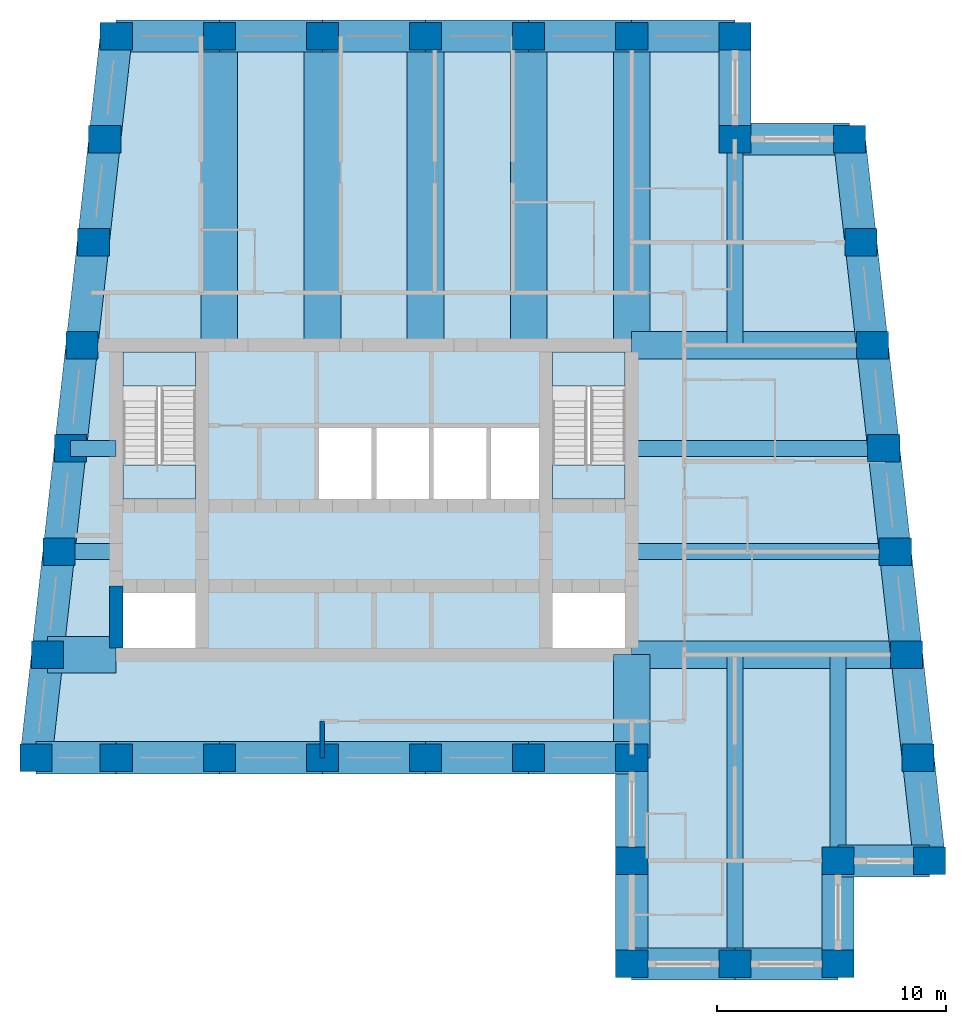
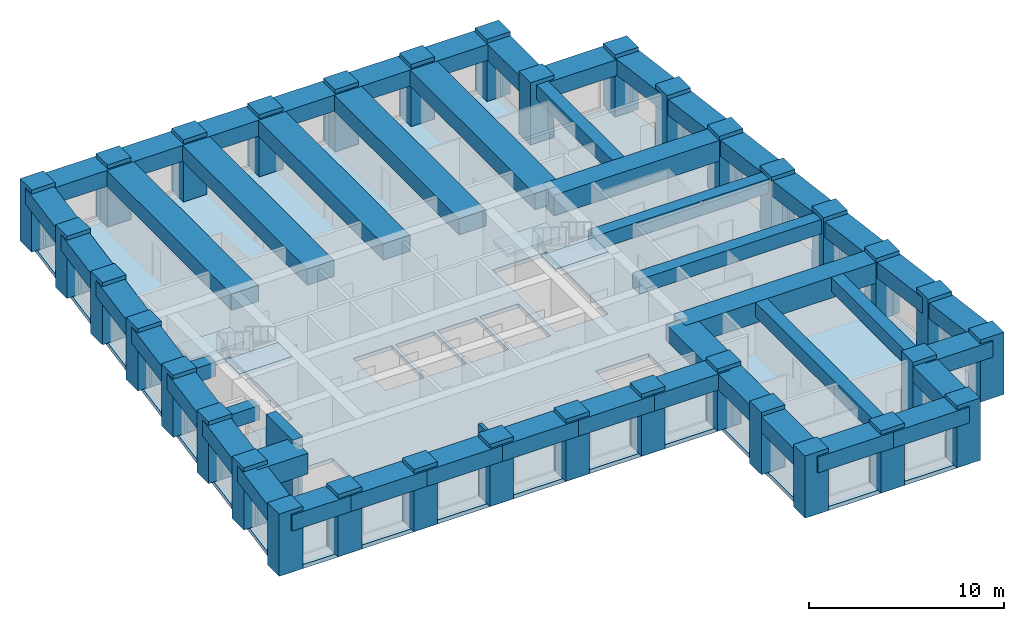
# One storey, part 1 of 7: 50 beams, 34 columns, 5 slabs, 2 walls, 2 elements without a shape of their own.
"""IFC4 building model written with IfcOpenShell, lengths in metres."""

from ifc_helpers import new_model, si_unit, direction, frame, frame_2d, origin, origin_2d, place, context, subcontext, project, spatial, polyline, rectangle, outline, extrude, material, layer, layer_set, material_profile, profile_set, type_object, element, aggregate, save


model = new_model("IFC4")

# Units and contexts
model_context = context("Model", 3, precision=1e-05, world=origin(), true_north=direction((0.0, 1.0)))
body_context = subcontext(model_context, "Body", "Model", "MODEL_VIEW")
ifc_project = project(units=[si_unit("LENGTHUNIT", "METRE"), si_unit("AREAUNIT", "SQUARE_METRE"), si_unit("VOLUMEUNIT", "CUBIC_METRE"), si_unit("PLANEANGLEUNIT", "RADIAN"), si_unit("MASSUNIT", "GRAM", prefix="KILO")], contexts=[model_context])

# Site, building, storey
site_placement = place(None, origin())
site = spatial("IfcSite", under=ifc_project, at=site_placement, CompositionType="ELEMENT")
building_placement = place(site_placement, origin())
building = spatial("IfcBuilding", under=site, at=building_placement, Name="Kilele Tower Hotel", CompositionType="ELEMENT")
storey_placement = place(building_placement, frame((0.0, 0.0, 278.0)))
storey = spatial("IfcBuildingStorey", under=building, at=storey_placement, Name="L71", CompositionType="ELEMENT", Elevation=278.0)

# Columns
ifc_material_1 = material(Name="Concrete C60/75", Category="concrete")
ifc_material_profile_1 = material_profile(ifc_material_1, rectangle(XDim=1.39990234375, YDim=1.199951171875, at=origin_2d()))
ifc_profile_set_1 = profile_set([ifc_material_profile_1], Name="Concrete C60/75")
column_type = type_object("IfcColumnType", Name="Tube column RC 1400x1200 C60/75", PredefinedType="COLUMN", material=ifc_profile_set_1)
for number, where, z_axis, x_axis, name in (
    (1, (10.0, 9.0, 0.0), (0.0, 0.0, 1.0), (1.0, 0.0, 0.0), "Column TC5 L71"),
    (2, (13.5, 9.0, 0.0), (0.0, 0.0, 1.0), (1.0, 0.0, 0.0), "Column TC5 L71"),
    (3, (18.0, 9.0, 0.0), (0.0, 0.0, 1.0), (1.0, 0.0, 0.0), "Column TC5 L71"),
    (4, (22.5, 9.0, 0.0), (0.0, 0.0, 1.0), (1.0, 0.0, 0.0), "Column TC5 L71"),
    (5, (27.0, 9.0, 0.0), (0.0, 0.0, 1.0), (1.0, 0.0, 0.0), "Column TC5 L71"),
    (6, (31.5, 9.0, 0.0), (0.0, 0.0, 1.0), (1.0, 0.0, 0.0), "Column TC5 L71"),
    (7, (36.0, 9.0, 0.0), (0.0, 0.0, 1.0), (1.0, 0.0, 0.0), "Column TC5 L71"),
    (8, (36.0, 4.5, 0.0), (0.0, 0.0, 1.0), (1.0, 0.0, 0.0), "Column TC5 L71"),
    (9, (36.0, 0.0, 0.0), (0.0, 0.0, 1.0), (1.0, 0.0, 0.0), "Column TC5 L71"),
    (10, (40.5, 0.0, 0.0), (0.0, 0.0, 1.0), (1.0, 0.0, 0.0), "Column TC5 L71"),
    (11, (45.0, 0.0, 0.0), (0.0, 0.0, 1.0), (1.0, 0.0, 0.0), "Column TC5 L71"),
    (12, (45.0, 4.5, 0.0), (0.0, 0.0, 1.0), (1.0, 0.0, 0.0), "Column TC5 L71"),
    (13, (49.0, 4.5, 0.0), (0.0, 0.0, 1.0), (1.0, 0.0, 0.0), "Column TC5 L71"),
    (14, (48.5, 9.0, 0.0), (0.0, 0.0, 1.0), (1.0, 0.0, 0.0), "Column TC5 L71"),
    (15, (48.0, 13.5, 0.0), (0.0, 0.0, 1.0), (1.0, 0.0, 0.0), "Column TC5 L71"),
    (16, (47.5, 18.0, 0.0), (0.0, 0.0, 1.0), (1.0, 0.0, 0.0), "Column TC5 L71"),
    (17, (47.0, 22.5, 0.0), (0.0, 0.0, 1.0), (1.0, 0.0, 0.0), "Column TC5 L71"),
    (18, (46.5, 27.0, 0.0), (0.0, 0.0, 1.0), (1.0, 0.0, 0.0), "Column TC5 L71"),
    (19, (46.0, 31.5, 0.0), (0.0, 0.0, 1.0), (1.0, 0.0, 0.0), "Column TC5 L71"),
    (20, (45.5, 36.0, 0.0), (0.0, 0.0, 1.0), (1.0, 0.0, 0.0), "Column TC5 L71"),
    (21, (40.5, 36.0, 0.0), (0.0, 0.0, 1.0), (1.0, 0.0, 0.0), "Column TC5 L71"),
    (22, (40.5, 40.5, 0.0), (0.0, 0.0, 1.0), (1.0, 0.0, 0.0), "Column TC5 L71"),
    (23, (36.0, 40.5, 0.0), (0.0, 0.0, 1.0), (1.0, 0.0, 0.0), "Column TC5 L71"),
    (24, (31.5, 40.5, 0.0), (0.0, 0.0, 1.0), (1.0, 0.0, 0.0), "Column TC5 L71"),
    (25, (27.0, 40.5, 0.0), (0.0, 0.0, 1.0), (1.0, 0.0, 0.0), "Column TC5 L71"),
    (26, (22.5, 40.5, 0.0), (0.0, 0.0, 1.0), (1.0, 0.0, 0.0), "Column TC5 L71"),
    (27, (18.0, 40.5, 0.0), (0.0, 0.0, 1.0), (1.0, 0.0, 0.0), "Column TC5 L71"),
    (28, (13.5, 40.5, 0.0), (0.0, 0.0, 1.0), (1.0, 0.0, 0.0), "Column TC5 L71"),
    (29, (13.0, 36.0, 0.0), (0.0, 0.0, 1.0), (1.0, 0.0, 0.0), "Column TC5 L71"),
    (30, (12.5, 31.5, 0.0), (0.0, 0.0, 1.0), (1.0, 0.0, 0.0), "Column TC5 L71"),
    (31, (12.0, 27.0, 0.0), (0.0, 0.0, 1.0), (1.0, 0.0, 0.0), "Column TC5 L71"),
    (32, (11.5, 22.5, 0.0), (0.0, 0.0, 1.0), (1.0, 0.0, 0.0), "Column TC5 L71"),
    (33, (11.0, 18.0, 0.0), (0.0, 0.0, 1.0), (1.0, 0.0, 0.0), "Column TC5 L71"),
    (34, (10.5, 13.5, 0.0), (0.0, 0.0, 1.0), (1.0, 0.0, 0.0), "Column TC5 L71"),
):
    element("IfcColumn", number, at=place(storey_placement, frame(where, z_axis=z_axis, x_axis=x_axis)), inside=storey, type_object=column_type, Name=name, PredefinedType="COLUMN", context=body_context, shape_type="SweptSolid", body=[
        extrude(rectangle(XDim=1.39990234375, YDim=1.199951171875, at=origin_2d()), origin(), (0.0, 0.0, 1.0), 3.89990234375),
    ])

# Beams
ifc_material_2 = material(Name="Concrete C60/75", Category="concrete")
ifc_material_profile_2 = material_profile(ifc_material_2, rectangle(XDim=1.60009765625, YDim=1.0, at=origin_2d()))
ifc_profile_set_2 = profile_set([ifc_material_profile_2], Name="Concrete C60/75")
beam_type_1 = type_object("IfcBeamType", Name="Beam RC 1600x1000 C60/75", PredefinedType="BEAM", material=ifc_profile_set_2)
for number, where, z_axis, x_axis, name in (
    (35, (36.0, 40.5, 3.14990234375), (0.0, -1.0, 0.0), (1.0, 0.0, 0.0), "Beam BC1 level L72"),
    (36, (31.5, 40.5, 3.14990234375), (0.0, -1.0, 0.0), (1.0, 0.0, 0.0), "Beam BC1 level L72"),
    (37, (27.0, 40.5, 3.14990234375), (0.0, -1.0, 0.0), (1.0, 0.0, 0.0), "Beam BC1 level L72"),
    (38, (22.5, 40.5, 3.14990234375), (0.0, -1.0, 0.0), (1.0, 0.0, 0.0), "Beam BC1 level L72"),
    (39, (18.0, 40.5, 3.14990234375), (0.0, -1.0, 0.0), (1.0, 0.0, 0.0), "Beam BC1 level L72"),
):
    element("IfcBeam", number, at=place(storey_placement, frame(where, z_axis=z_axis, x_axis=x_axis)), inside=storey, type_object=beam_type_1, Name=name, PredefinedType="BEAM", context=body_context, shape_type="SweptSolid", body=[
        extrude(rectangle(XDim=1.60009765625, YDim=1.0, at=origin_2d()), origin(), (0.0, 0.0, 1.0), 13.5),
    ])
ifc_material_3 = material(Name="Concrete C60/75", Category="concrete")
ifc_material_profile_3 = material_profile(ifc_material_3, rectangle(XDim=1.60009765625, YDim=1.0, at=origin_2d()))
ifc_profile_set_3 = profile_set([ifc_material_profile_3], Name="Concrete C60/75")
beam_type_2 = type_object("IfcBeamType", Name="Beam RC 1600x1000 C60/75 short span", PredefinedType="BEAM", material=ifc_profile_set_3)
beam_1_placement = place(storey_placement, frame((36.0, 9.0, 3.14990234375), z_axis=(0.0, 1.0, 0.0), x_axis=(-1.0, 0.0, 0.0)))
element("IfcBeam", 40, at=beam_1_placement, inside=storey, type_object=beam_type_2, Name="Beam BC2 level L72", PredefinedType="BEAM", context=body_context, shape_type="SweptSolid", body=[
    extrude(rectangle(XDim=1.60009765625, YDim=1.0, at=origin_2d()), origin(), (0.0, 0.0, 1.0), 4.5),
])
ifc_material_4 = material(Name="Concrete C60/75", Category="concrete")
ifc_material_profile_4 = material_profile(ifc_material_4, rectangle(XDim=0.699951171875, YDim=0.89990234375, at=origin_2d()))
ifc_profile_set_4 = profile_set([ifc_material_profile_4], Name="Concrete C60/75")
beam_type_3 = type_object("IfcBeamType", Name="Beam RC 700x900 C60/75", PredefinedType="BEAM", material=ifc_profile_set_4)
beam_2_placement = place(storey_placement, frame((40.5, 0.0, 3.199951171875), z_axis=(0.0, 1.0, 0.0), x_axis=(-1.0, 0.0, 0.0)))
element("IfcBeam", 41, at=beam_2_placement, inside=storey, type_object=beam_type_3, Name="Beam B1 level L72", PredefinedType="BEAM", context=body_context, shape_type="SweptSolid", body=[
    extrude(rectangle(XDim=0.699951171875, YDim=0.89990234375, at=origin_2d()), origin(), (0.0, 0.0, 1.0), 13.5),
])
ifc_material_5 = material(Name="Concrete C60/75", Category="concrete")
ifc_material_profile_5 = material_profile(ifc_material_5, rectangle(XDim=0.699951171875, YDim=0.89990234375, at=origin_2d()))
ifc_profile_set_5 = profile_set([ifc_material_profile_5], Name="Concrete C60/75")
beam_type_4 = type_object("IfcBeamType", Name="Beam RC 700x900 C60/75 mid span", PredefinedType="BEAM", material=ifc_profile_set_5)
beam_3_placement = place(storey_placement, frame((45.0, 4.5, 3.199951171875), z_axis=(0.0, 1.0, 0.0), x_axis=(-1.0, 0.0, 0.0)))
element("IfcBeam", 42, at=beam_3_placement, inside=storey, type_object=beam_type_4, Name="Beam B2 level L72", PredefinedType="BEAM", context=body_context, shape_type="SweptSolid", body=[
    extrude(rectangle(XDim=0.699951171875, YDim=0.89990234375, at=origin_2d()), origin(), (0.0, 0.0, 1.0), 9.0),
])
beam_4_placement = place(storey_placement, frame((47.5, 18.0, 3.199951171875), z_axis=(-1.0, 0.0, 0.0), x_axis=(0.0, -1.0, 0.0)))
element("IfcBeam", 43, at=beam_4_placement, inside=storey, type_object=beam_type_4, Name="Beam B2 level L72", PredefinedType="BEAM", context=body_context, shape_type="SweptSolid", body=[
    extrude(rectangle(XDim=0.699951171875, YDim=0.89990234375, at=origin_2d()), origin(), (0.0, 0.0, 1.0), 11.5),
])
beam_5_placement = place(storey_placement, frame((47.0, 22.5, 3.199951171875), z_axis=(-1.0, 0.0, 0.0), x_axis=(0.0, -1.0, 0.0)))
element("IfcBeam", 44, at=beam_5_placement, inside=storey, type_object=beam_type_4, Name="Beam B2 level L72", PredefinedType="BEAM", context=body_context, shape_type="SweptSolid", body=[
    extrude(rectangle(XDim=0.699951171875, YDim=0.89990234375, at=origin_2d()), origin(), (0.0, 0.0, 1.0), 11.0),
])
beam_6_placement = place(storey_placement, frame((40.5, 36.0, 3.199951171875), z_axis=(0.0, -1.0, 0.0), x_axis=(1.0, 0.0, 0.0)))
element("IfcBeam", 45, at=beam_6_placement, inside=storey, type_object=beam_type_4, Name="Beam B2 level L72", PredefinedType="BEAM", context=body_context, shape_type="SweptSolid", body=[
    extrude(rectangle(XDim=0.699951171875, YDim=0.89990234375, at=origin_2d()), origin(), (0.0, 0.0, 1.0), 9.0),
])
ifc_material_6 = material(Name="Concrete C60/75", Category="concrete")
ifc_material_profile_6 = material_profile(ifc_material_6, rectangle(XDim=0.699951171875, YDim=0.89990234375, at=origin_2d()))
ifc_profile_set_6 = profile_set([ifc_material_profile_6], Name="Concrete C60/75")
beam_type_5 = type_object("IfcBeamType", Name="Beam RC 700x900 C60/75 short span", PredefinedType="BEAM", material=ifc_profile_set_6)
beam_7_placement = place(storey_placement, frame((11.5, 22.5, 3.199951171875), z_axis=(1.0, 0.0, 0.0), x_axis=(0.0, 1.0, 0.0)))
element("IfcBeam", 46, at=beam_7_placement, inside=storey, type_object=beam_type_5, Name="Beam B3 level L72", PredefinedType="BEAM", context=body_context, shape_type="SweptSolid", body=[
    extrude(rectangle(XDim=0.699951171875, YDim=0.89990234375, at=origin_2d()), origin(), (0.0, 0.0, 1.0), 2.0),
])
beam_8_placement = place(storey_placement, frame((11.0, 18.0, 3.199951171875), z_axis=(1.0, 0.0, 0.0), x_axis=(0.0, 1.0, 0.0)))
element("IfcBeam", 47, at=beam_8_placement, inside=storey, type_object=beam_type_5, Name="Beam B3 level L72", PredefinedType="BEAM", context=body_context, shape_type="SweptSolid", body=[
    extrude(rectangle(XDim=0.699951171875, YDim=0.89990234375, at=origin_2d()), origin(), (0.0, 0.0, 1.0), 2.5),
])
ifc_material_7 = material(Name="Concrete C60/75", Category="concrete")
ifc_material_profile_7 = material_profile(ifc_material_7, rectangle(XDim=1.60009765625, YDim=1.300048828125, at=origin_2d()))
ifc_profile_set_7 = profile_set([ifc_material_profile_7], Name="Concrete C60/75")
beam_type_6 = type_object("IfcBeamType", Name="Coupling girder RC 1600x1300 C60/75", PredefinedType="BEAM", material=ifc_profile_set_7)
beam_9_placement = place(storey_placement, frame((10.5, 13.5, 3.0), z_axis=(1.0, 0.0, 0.0), x_axis=(0.0, 1.0, 0.0)))
element("IfcBeam", 48, at=beam_9_placement, inside=storey, type_object=beam_type_6, Name="Coupling girder G2 level L72", PredefinedType="BEAM", context=body_context, shape_type="SweptSolid", body=[
    extrude(rectangle(XDim=1.60009765625, YDim=1.300048828125, at=origin_2d()), origin(), (0.0, 0.0, 1.0), 3.0),
])
ifc_material_8 = material(Name="Concrete C60/75", Category="concrete")
ifc_material_profile_8 = material_profile(ifc_material_8, rectangle(XDim=1.199951171875, YDim=1.300048828125, at=origin_2d()))
ifc_profile_set_8 = profile_set([ifc_material_profile_8], Name="Concrete C60/75")
beam_type_7 = type_object("IfcBeamType", Name="Girder RC 1200x1300 C60/75", PredefinedType="BEAM", material=ifc_profile_set_8)
beam_10_placement = place(storey_placement, frame((48.0, 13.5, 3.0), z_axis=(-1.0, 0.0, 0.0), x_axis=(0.0, -1.0, 0.0)))
element("IfcBeam", 49, at=beam_10_placement, inside=storey, type_object=beam_type_7, Name="Girder G1 level L72", PredefinedType="BEAM", context=body_context, shape_type="SweptSolid", body=[
    extrude(rectangle(XDim=1.199951171875, YDim=1.300048828125, at=origin_2d()), origin(), (0.0, 0.0, 1.0), 12.0),
])
ifc_material_9 = material(Name="Concrete C60/75", Category="concrete")
ifc_material_profile_9 = material_profile(ifc_material_9, rectangle(XDim=1.199951171875, YDim=1.300048828125, at=origin_2d()))
ifc_profile_set_9 = profile_set([ifc_material_profile_9], Name="Concrete C60/75")
beam_type_8 = type_object("IfcBeamType", Name="Girder RC 1200x1300 C60/75 mid span", PredefinedType="BEAM", material=ifc_profile_set_9)
beam_11_placement = place(storey_placement, frame((46.5, 27.0, 3.0), z_axis=(-1.0, 0.0, 0.0), x_axis=(0.0, -1.0, 0.0)))
element("IfcBeam", 50, at=beam_11_placement, inside=storey, type_object=beam_type_8, Name="Girder G3 level L72", PredefinedType="BEAM", context=body_context, shape_type="SweptSolid", body=[
    extrude(rectangle(XDim=1.199951171875, YDim=1.300048828125, at=origin_2d()), origin(), (0.0, 0.0, 1.0), 10.5),
])
ifc_material_10 = material(Name="Concrete C60/75", Category="concrete")
ifc_material_profile_10 = material_profile(ifc_material_10, rectangle(XDim=1.39990234375, YDim=1.0, at=origin_2d()))
ifc_profile_set_10 = profile_set([ifc_material_profile_10], Name="Concrete C60/75")
beam_type_9 = type_object("IfcBeamType", Name="Spandrel RC 1400x1000 C60/75", PredefinedType="SPANDREL", material=ifc_profile_set_10)
beam_12_placement = place(storey_placement, frame((10.0, 9.0, 3.14990234375), z_axis=(1.0, 0.0, 0.0), x_axis=(0.0, 1.0, 0.0)))
element("IfcBeam", 51, at=beam_12_placement, inside=storey, type_object=beam_type_9, Name="Spandrel SP1 level L72", PredefinedType="SPANDREL", context=body_context, shape_type="SweptSolid", body=[
    extrude(rectangle(XDim=1.39990234375, YDim=1.0, at=origin_2d()), origin(), (0.0, 0.0, 1.0), 3.5),
])
for number, where, z_axis, x_axis, name in (
    (52, (13.5, 9.0, 3.14990234375), (1.0, 0.0, 0.0), (0.0, 1.0, 0.0), "Spandrel SP1 level L72"),
    (53, (18.0, 9.0, 3.14990234375), (1.0, 0.0, 0.0), (0.0, 1.0, 0.0), "Spandrel SP1 level L72"),
    (54, (22.5, 9.0, 3.14990234375), (1.0, 0.0, 0.0), (0.0, 1.0, 0.0), "Spandrel SP1 level L72"),
    (55, (27.0, 9.0, 3.14990234375), (1.0, 0.0, 0.0), (0.0, 1.0, 0.0), "Spandrel SP1 level L72"),
    (56, (31.5, 9.0, 3.14990234375), (1.0, 0.0, 0.0), (0.0, 1.0, 0.0), "Spandrel SP1 level L72"),
    (57, (36.0, 9.0, 3.14990234375), (0.0, -1.0, 0.0), (1.0, 0.0, 0.0), "Spandrel SP1 level L72"),
    (58, (36.0, 4.5, 3.14990234375), (0.0, -1.0, 0.0), (1.0, 0.0, 0.0), "Spandrel SP1 level L72"),
    (59, (36.0, 0.0, 3.14990234375), (1.0, 0.0, 0.0), (0.0, 1.0, 0.0), "Spandrel SP1 level L72"),
    (60, (40.5, 0.0, 3.14990234375), (1.0, 0.0, 0.0), (0.0, 1.0, 0.0), "Spandrel SP1 level L72"),
    (61, (45.0, 0.0, 3.14990234375), (0.0, 1.0, 0.0), (-1.0, 0.0, 0.0), "Spandrel SP1 level L72"),
):
    element("IfcBeam", number, at=place(storey_placement, frame(where, z_axis=z_axis, x_axis=x_axis)), inside=storey, type_object=beam_type_9, Name=name, PredefinedType="SPANDREL", context=body_context, shape_type="SweptSolid", body=[
        extrude(rectangle(XDim=1.39990234375, YDim=1.0, at=origin_2d()), origin(), (0.0, 0.0, 1.0), 4.5),
    ])
beam_13_placement = place(storey_placement, frame((45.0, 4.5, 3.14990234375), z_axis=(1.0, 0.0, 0.0), x_axis=(0.0, 1.0, 0.0)))
element("IfcBeam", 62, at=beam_13_placement, inside=storey, type_object=beam_type_9, Name="Spandrel SP1 level L72", PredefinedType="SPANDREL", context=body_context, shape_type="SweptSolid", body=[
    extrude(rectangle(XDim=1.39990234375, YDim=1.0, at=origin_2d()), origin(), (0.0, 0.0, 1.0), 4.0),
])
for number, where, z_axis, x_axis, name in (
    (63, (49.0, 4.5, 3.14990234375), (-0.110431526075, 0.993883734674, 0.0), (-0.993883734674, -0.110431526075, 0.0), "Spandrel SP1 level L72"),
    (64, (48.5, 9.0, 3.14990234375), (-0.110431526075, 0.993883734674, 0.0), (-0.993883734674, -0.110431526075, 0.0), "Spandrel SP1 level L72"),
    (65, (48.0, 13.5, 3.14990234375), (-0.110431526075, 0.993883734674, 0.0), (-0.993883734674, -0.110431526075, 0.0), "Spandrel SP1 level L72"),
    (66, (47.5, 18.0, 3.14990234375), (-0.110431526075, 0.993883734674, 0.0), (-0.993883734674, -0.110431526075, 0.0), "Spandrel SP1 level L72"),
    (67, (47.0, 22.5, 3.14990234375), (-0.110431526075, 0.993883734674, 0.0), (-0.993883734674, -0.110431526075, 0.0), "Spandrel SP1 level L72"),
    (68, (46.5, 27.0, 3.14990234375), (-0.110431526075, 0.993883734674, 0.0), (-0.993883734674, -0.110431526075, 0.0), "Spandrel SP1 level L72"),
    (69, (46.0, 31.5, 3.14990234375), (-0.110431526075, 0.993883734674, 0.0), (-0.993883734674, -0.110431526075, 0.0), "Spandrel SP1 level L72"),
):
    element("IfcBeam", number, at=place(storey_placement, frame(where, z_axis=z_axis, x_axis=x_axis)), inside=storey, type_object=beam_type_9, Name=name, PredefinedType="SPANDREL", context=body_context, shape_type="SweptSolid", body=[
        extrude(rectangle(XDim=1.39990234375, YDim=1.0, at=origin_2d()), origin(), (0.0, 0.0, 1.0), 4.527587890625),
    ])
beam_14_placement = place(storey_placement, frame((45.5, 36.0, 3.14990234375), z_axis=(-1.0, 0.0, 0.0), x_axis=(0.0, -1.0, 0.0)))
element("IfcBeam", 70, at=beam_14_placement, inside=storey, type_object=beam_type_9, Name="Spandrel SP1 level L72", PredefinedType="SPANDREL", context=body_context, shape_type="SweptSolid", body=[
    extrude(rectangle(XDim=1.39990234375, YDim=1.0, at=origin_2d()), origin(), (0.0, 0.0, 1.0), 5.0),
])
for number, where, z_axis, x_axis, name in (
    (71, (40.5, 36.0, 3.14990234375), (0.0, 1.0, 0.0), (-1.0, 0.0, 0.0), "Spandrel SP1 level L72"),
    (72, (40.5, 40.5, 3.14990234375), (-1.0, 0.0, 0.0), (0.0, -1.0, 0.0), "Spandrel SP1 level L72"),
    (73, (36.0, 40.5, 3.14990234375), (-1.0, 0.0, 0.0), (0.0, -1.0, 0.0), "Spandrel SP1 level L72"),
    (74, (31.5, 40.5, 3.14990234375), (-1.0, 0.0, 0.0), (0.0, -1.0, 0.0), "Spandrel SP1 level L72"),
    (75, (27.0, 40.5, 3.14990234375), (-1.0, 0.0, 0.0), (0.0, -1.0, 0.0), "Spandrel SP1 level L72"),
    (76, (22.5, 40.5, 3.14990234375), (-1.0, 0.0, 0.0), (0.0, -1.0, 0.0), "Spandrel SP1 level L72"),
    (77, (18.0, 40.5, 3.14990234375), (-1.0, 0.0, 0.0), (0.0, -1.0, 0.0), "Spandrel SP1 level L72"),
):
    element("IfcBeam", number, at=place(storey_placement, frame(where, z_axis=z_axis, x_axis=x_axis)), inside=storey, type_object=beam_type_9, Name=name, PredefinedType="SPANDREL", context=body_context, shape_type="SweptSolid", body=[
        extrude(rectangle(XDim=1.39990234375, YDim=1.0, at=origin_2d()), origin(), (0.0, 0.0, 1.0), 4.5),
    ])
for number, where, z_axis, x_axis, name in (
    (78, (13.5, 40.5, 3.14990234375), (-0.110431526075, -0.993883734674, 0.0), (0.993883734674, -0.110431526075, 0.0), "Spandrel SP1 level L72"),
    (79, (13.0, 36.0, 3.14990234375), (-0.110431526075, -0.993883734674, 0.0), (0.993883734674, -0.110431526075, 0.0), "Spandrel SP1 level L72"),
    (80, (12.5, 31.5, 3.14990234375), (-0.110431526075, -0.993883734674, 0.0), (0.993883734674, -0.110431526075, 0.0), "Spandrel SP1 level L72"),
    (81, (12.0, 27.0, 3.14990234375), (-0.110431526075, -0.993883734674, 0.0), (0.993883734674, -0.110431526075, 0.0), "Spandrel SP1 level L72"),
    (82, (11.5, 22.5, 3.14990234375), (-0.110431526075, -0.993883734674, 0.0), (0.993883734674, -0.110431526075, 0.0), "Spandrel SP1 level L72"),
    (83, (11.0, 18.0, 3.14990234375), (-0.110431526075, -0.993883734674, 0.0), (0.993883734674, -0.110431526075, 0.0), "Spandrel SP1 level L72"),
    (84, (10.5, 13.5, 3.14990234375), (-0.110431526075, -0.993883734674, 0.0), (0.993883734674, -0.110431526075, 0.0), "Spandrel SP1 level L72"),
):
    element("IfcBeam", number, at=place(storey_placement, frame(where, z_axis=z_axis, x_axis=x_axis)), inside=storey, type_object=beam_type_9, Name=name, PredefinedType="SPANDREL", context=body_context, shape_type="SweptSolid", body=[
        extrude(rectangle(XDim=1.39990234375, YDim=1.0, at=origin_2d()), origin(), (0.0, 0.0, 1.0), 4.527587890625),
    ])

# Slab
ifc_material_11 = material(Name="Concrete C60/75", Category="concrete")
ifc_layer_1 = layer(ifc_material_11, 0.25)
ifc_layer_set_1 = layer_set([ifc_layer_1], Name="Concrete C60/75")
slab_type_1 = type_object("IfcSlabType", Name="Floor slab 250", PredefinedType="FLOOR", material=ifc_layer_set_1)
slab_1_placement = place(storey_placement, frame((0.0, 0.0, -0.25)))
element("IfcSlab", 85, at=slab_1_placement, inside=storey, type_object=slab_type_1, Name="Floor slab L71", PredefinedType="FLOOR", context=body_context, shape_type="SweptSolid", body=[
    extrude(outline(polyline([(40.800048828125, 40.800048828125), (40.800048828125, 36.300048828125), (45.7685546875, 36.300048828125), (49.335205078125, 4.199951171875), (45.300048828125, 4.199951171875), (45.300048828125, -0.300048828125), (35.699951171875, -0.300048828125), (35.699951171875, 8.699951171875), (9.664794921875, 8.699951171875), (13.2314453125, 40.800048828125), (40.800048828125, 40.800048828125)]), holes=[polyline([(16.949951171875, 16.199951171875), (13.800048828125, 16.199951171875), (13.800048828125, 13.800048828125), (16.949951171875, 13.800048828125), (16.949951171875, 16.199951171875)]), polyline([(35.699951171875, 16.199951171875), (32.550048828125, 16.199951171875), (32.550048828125, 13.800048828125), (35.699951171875, 13.800048828125), (35.699951171875, 16.199951171875)]), polyline([(24.64990234375, 23.39990234375), (22.35009765625, 23.39990234375), (22.35009765625, 20.10009765625), (24.64990234375, 20.10009765625), (24.64990234375, 23.39990234375)]), polyline([(27.14990234375, 23.39990234375), (24.85009765625, 23.39990234375), (24.85009765625, 20.10009765625), (27.14990234375, 20.10009765625), (27.14990234375, 23.39990234375)]), polyline([(29.64990234375, 23.39990234375), (27.35009765625, 23.39990234375), (27.35009765625, 20.10009765625), (29.64990234375, 20.10009765625), (29.64990234375, 23.39990234375)]), polyline([(32.14990234375, 23.39990234375), (29.85009765625, 23.39990234375), (29.85009765625, 20.10009765625), (32.14990234375, 20.10009765625), (32.14990234375, 23.39990234375)]), polyline([(16.949951171875, 26.699951171875), (13.800048828125, 26.699951171875), (13.800048828125, 20.300048828125), (16.949951171875, 20.300048828125), (16.949951171875, 26.699951171875)]), polyline([(35.699951171875, 26.699951171875), (32.550048828125, 26.699951171875), (32.550048828125, 20.300048828125), (35.699951171875, 20.300048828125), (35.699951171875, 26.699951171875)])]), origin(), (0.0, 0.0, 1.0), 0.25),
])

# Stair, slabs
ifc_material_12 = material(Name="Precast concrete C40/50", Category="concrete")
stair_type = type_object("IfcStairType", Name="Stair 1475 x 3900", PredefinedType="HALF_TURN_STAIR", material=ifc_material_12)
stair_1_placement = place(storey_placement, origin())
stair_1 = element("IfcStair", 86, at=stair_1_placement, inside=storey, type_object=stair_type, Name="Stair 1 L71", PredefinedType="HALF_TURN_STAIR")
ifc_material_13 = material(Name="Precast concrete C40/50", Category="concrete")
ifc_layer_2 = layer(ifc_material_13, 0.199951171875)
ifc_layer_set_2 = layer_set([ifc_layer_2], Name="Precast concrete C40/50")
slab_type_2 = type_object("IfcSlabType", Name="Stair landing 200", PredefinedType="LANDING", material=ifc_layer_set_2)
slab_2_placement = place(storey_placement, frame((0.0, 0.0, 1.665283203125)))
slab_2 = element("IfcSlab", 87, at=slab_2_placement, type_object=slab_type_2, Name="ST1 landing 1", PredefinedType="LANDING", context=body_context, shape_type="SweptSolid", body=[
    extrude(outline(polyline([(13.800048828125, 25.22509765625), (16.949951171875, 25.22509765625), (16.949951171875, 26.699951171875), (13.800048828125, 26.699951171875), (13.800048828125, 25.22509765625)])), origin(), (0.0, 0.0, 1.0), 0.199951171875),
])
slab_3_placement = place(storey_placement, frame((0.0, 0.0, 3.699951171875)))
slab_3 = element("IfcSlab", 88, at=slab_3_placement, type_object=slab_type_2, Name="ST1 landing 2", PredefinedType="LANDING", context=body_context, shape_type="SweptSolid", body=[
    extrude(outline(polyline([(13.800048828125, 20.300048828125), (16.949951171875, 20.300048828125), (16.949951171875, 21.77490234375), (13.800048828125, 21.77490234375), (13.800048828125, 20.300048828125)])), origin(), (0.0, 0.0, 1.0), 0.199951171875),
])
aggregate(stair_1, [slab_2, slab_3])

stair_2_placement = place(storey_placement, origin())
stair_2 = element("IfcStair", 89, at=stair_2_placement, inside=storey, type_object=stair_type, Name="Stair 2 L71", PredefinedType="HALF_TURN_STAIR")
slab_4_placement = place(storey_placement, frame((0.0, 0.0, 1.665283203125)))
slab_4 = element("IfcSlab", 90, at=slab_4_placement, type_object=slab_type_2, Name="ST2 landing 1", PredefinedType="LANDING", context=body_context, shape_type="SweptSolid", body=[
    extrude(outline(polyline([(32.550048828125, 25.22509765625), (35.699951171875, 25.22509765625), (35.699951171875, 26.699951171875), (32.550048828125, 26.699951171875), (32.550048828125, 25.22509765625)])), origin(), (0.0, 0.0, 1.0), 0.199951171875),
])
slab_5_placement = place(storey_placement, frame((0.0, 0.0, 3.699951171875)))
slab_5 = element("IfcSlab", 91, at=slab_5_placement, type_object=slab_type_2, Name="ST2 landing 2", PredefinedType="LANDING", context=body_context, shape_type="SweptSolid", body=[
    extrude(outline(polyline([(32.550048828125, 20.300048828125), (35.699951171875, 20.300048828125), (35.699951171875, 21.77490234375), (32.550048828125, 21.77490234375), (32.550048828125, 20.300048828125)])), origin(), (0.0, 0.0, 1.0), 0.199951171875),
])
aggregate(stair_2, [slab_4, slab_5])

# Walls
ifc_material_14 = material(Name="Concrete C60/75", Category="concrete")
ifc_layer_3 = layer(ifc_material_14, 0.60009765625)
ifc_layer_set_3 = layer_set([ifc_layer_3], Name="Concrete C60/75")
wall_type_1 = type_object("IfcWallType", Name="Core wall 600 C60/75", PredefinedType="SHEAR", material=ifc_layer_set_3)
wall_1_placement = place(storey_placement, frame((13.5, 16.5, 0.0), z_axis=(0.0, 0.0, 1.0), x_axis=(0.0, -1.0, 0.0)))
element("IfcWall", 92, at=wall_1_placement, inside=storey, type_object=wall_type_1, Name="Core wall W3 L71", PredefinedType="SHEAR", context=body_context, shape_type="SweptSolid", body=[
    extrude(rectangle(XDim=2.699951171875, YDim=0.60009765625, at=frame_2d((1.35009765625, 0.0))), origin(), (0.0, 0.0, 1.0), 3.89990234375),
])
ifc_material_15 = material(Name="Blockwork, plastered both sides", Category="masonry")
ifc_layer_4 = layer(ifc_material_15, 0.199951171875)
ifc_layer_set_4 = layer_set([ifc_layer_4], Name="Blockwork, plastered both sides")
wall_type_2 = type_object("IfcWallType", Name="Party wall 200", PredefinedType="PARTITIONING", material=ifc_layer_set_4)
wall_2_placement = place(storey_placement, frame((22.5, 10.60009765625, 0.0), z_axis=(0.0, 0.0, 1.0), x_axis=(0.0, -1.0, 0.0)))
element("IfcWall", 93, at=wall_2_placement, inside=storey, type_object=wall_type_2, Name="Party wall 200 L71", PredefinedType="PARTITIONING", context=body_context, shape_type="SweptSolid", body=[
    extrude(rectangle(XDim=1.60009765625, YDim=0.199951171875, at=frame_2d((0.800048828125, 0.0))), origin(), (0.0, 0.0, 1.0), 3.64990234375),
])

save(model, "model.ifc")
